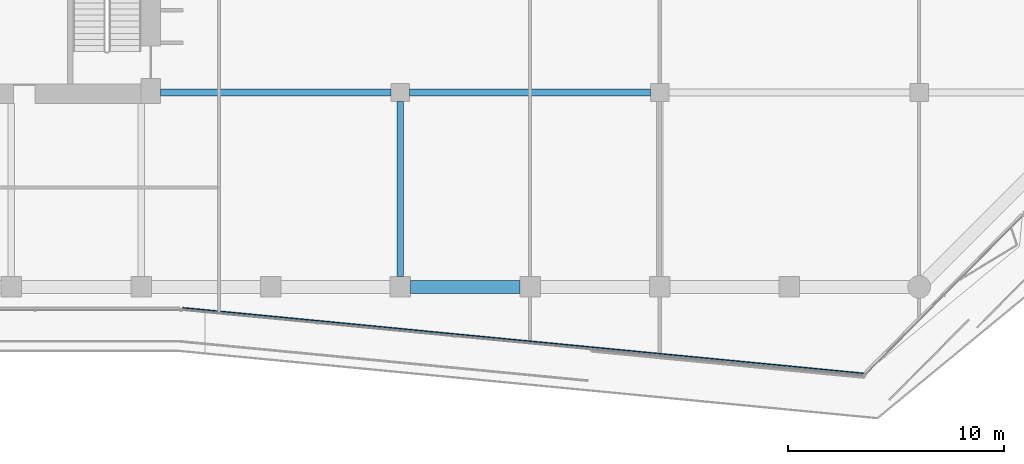
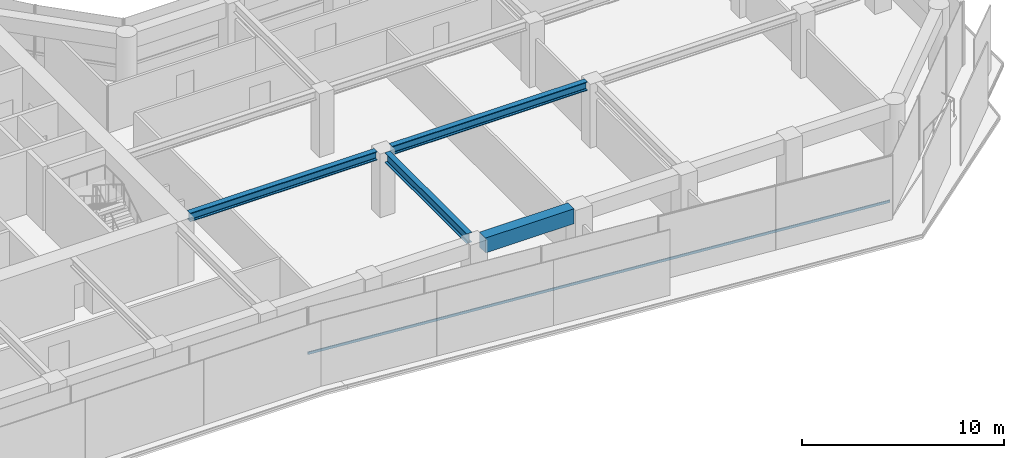
# One storey, part 7 of 31: 4 beams, 1 member, 1 element without a shape of its own.
"""IFC4 building model written with IfcOpenShell, lengths in metres."""

from ifc_helpers import new_model, si_unit, direction, frame, origin, origin_2d, place, context, subcontext, project, spatial, rectangle, i_section, extrude, material, layer, layer_set, material_profile, profile_set, type_object, element, aggregate, save


model = new_model("IFC4")

# Units and contexts
model_context = context("Model", 3, precision=1e-05, world=origin(), true_north=direction((0.0, 1.0)))
body_context = subcontext(model_context, "Body", "Model", "MODEL_VIEW")
ifc_project = project(units=[si_unit("LENGTHUNIT", "METRE"), si_unit("AREAUNIT", "SQUARE_METRE"), si_unit("VOLUMEUNIT", "CUBIC_METRE"), si_unit("PLANEANGLEUNIT", "RADIAN"), si_unit("MASSUNIT", "GRAM", prefix="KILO")], contexts=[model_context])

# Site, building, storey
site_placement = place(None, origin())
site = spatial("IfcSite", under=ifc_project, at=site_placement, CompositionType="ELEMENT")
building_placement = place(site_placement, origin())
building = spatial("IfcBuilding", under=site, at=building_placement, Name="Welwitschia Terrace Campus", CompositionType="ELEMENT")
storey_placement = place(building_placement, frame((0.0, 0.0, 29.0)))
storey = spatial("IfcBuildingStorey", under=building, at=storey_placement, Name="L06", CompositionType="ELEMENT", Elevation=29.0)

# Beams
ifc_material_1 = material(Name="Steel S355", Category="steel")
ifc_material_profile_1 = material_profile(ifc_material_1, i_section(OverallWidth=0.305908203125, OverallDepth=0.52392578125, WebThickness=0.02099609375, FlangeThickness=0.0400390625, FilletRadius=0.027099609375, at=origin_2d()))
ifc_profile_set_1 = profile_set([ifc_material_profile_1], Name="Steel S355")
beam_type_1 = type_object("IfcBeamType", Name="Interior girder HE 500 M", PredefinedType="BEAM", material=ifc_profile_set_1)
beam_1_placement = place(storey_placement, frame((24.90087890625, 5.0, 3.587890625), z_axis=(1.0, 0.0, 0.0), x_axis=(0.0, 1.0, 0.0)))
element("IfcBeam", 1, at=beam_1_placement, inside=storey, type_object=beam_type_1, Name="Girder GB2", PredefinedType="BEAM", context=body_context, shape_type="SweptSolid", body=[
    extrude(i_section(OverallWidth=0.305908203125, OverallDepth=0.52392578125, WebThickness=0.02099609375, FlangeThickness=0.0400390625, FilletRadius=0.027099609375, at=origin_2d()), origin(), (0.0, 0.0, 1.0), 10.673583984375),
])
beam_2_placement = place(storey_placement, frame((36.425537109375, 5.0, 3.587890625), z_axis=(1.0, 0.0, 0.0), x_axis=(0.0, 1.0, 0.0)))
element("IfcBeam", 2, at=beam_2_placement, inside=storey, type_object=beam_type_1, Name="Girder GB2", PredefinedType="BEAM", context=body_context, shape_type="SweptSolid", body=[
    extrude(i_section(OverallWidth=0.305908203125, OverallDepth=0.52392578125, WebThickness=0.02099609375, FlangeThickness=0.0400390625, FilletRadius=0.027099609375, at=origin_2d()), origin(), (0.0, 0.0, 1.0), 11.14892578125),
])
ifc_material_2 = material(Name="Steel S355", Category="steel")
ifc_material_profile_2 = material_profile(ifc_material_2, i_section(OverallWidth=0.300048828125, OverallDepth=0.60009765625, WebThickness=0.015380859375, FlangeThickness=0.030029296875, FilletRadius=0.027099609375, at=origin_2d()))
ifc_profile_set_2 = profile_set([ifc_material_profile_2], Name="Steel S355")
beam_type_2 = type_object("IfcBeamType", Name="Primary beam HE 600 B", PredefinedType="BEAM", material=ifc_profile_set_2)
beam_3_placement = place(storey_placement, frame((36.0, -3.5244140625, 3.550048828125), z_axis=(0.0, 1.0, 0.0), x_axis=(-1.0, 0.0, 0.0)))
element("IfcBeam", 3, at=beam_3_placement, inside=storey, type_object=beam_type_2, Name="Primary beam PB2", PredefinedType="BEAM", context=body_context, shape_type="SweptSolid", body=[
    extrude(i_section(OverallWidth=0.300048828125, OverallDepth=0.60009765625, WebThickness=0.015380859375, FlangeThickness=0.030029296875, FilletRadius=0.027099609375, at=origin_2d()), origin(), (0.0, 0.0, 1.0), 8.098876953125),
])
ifc_material_3 = material(Name="Concrete C60/75", Category="concrete")
ifc_material_profile_3 = material_profile(ifc_material_3, rectangle(XDim=0.60009765625, YDim=0.89990234375, at=origin_2d()))
ifc_profile_set_3 = profile_set([ifc_material_profile_3], Name="Concrete C60/75")
beam_type_3 = type_object("IfcBeamType", Name="Ring spandrel 600x900", PredefinedType="SPANDREL", material=ifc_profile_set_3)
beam_4_placement = place(storey_placement, frame((36.4755859375, -4.0, 3.39990234375), z_axis=(1.0, 0.0, 0.0), x_axis=(0.0, 1.0, 0.0)))
element("IfcBeam", 4, at=beam_4_placement, inside=storey, type_object=beam_type_3, Name="Spandrel SP2", PredefinedType="SPANDREL", context=body_context, shape_type="SweptSolid", body=[
    extrude(rectangle(XDim=0.60009765625, YDim=0.89990234375, at=origin_2d()), origin(), (0.0, 0.0, 1.0), 5.048828125),
])

# Curtain wall, member
ifc_material_4 = material(Name="Bronze anodised aluminium", Category="aluminium")
ifc_layer = layer(ifc_material_4, 0.1201171875)
ifc_layer_set = layer_set([ifc_layer], Name="Bronze anodised aluminium")
curtain_wall_type = type_object("IfcCurtainWallType", Name="Curtain wall CW2 tower 6000", PredefinedType="NOTDEFINED", material=ifc_layer_set)
curtain_wall_placement = place(storey_placement, origin())
curtain_wall = element("IfcCurtainWall", 5, at=curtain_wall_placement, inside=storey, type_object=curtain_wall_type, Name="CW L06.4.0", PredefinedType="NOTDEFINED")
ifc_material_5 = material(Name="Bronze anodised aluminium", Category="aluminium")
ifc_material_profile_4 = material_profile(ifc_material_5, rectangle(XDim=0.06005859375, YDim=0.14990234375, at=origin_2d()))
ifc_profile_set_4 = profile_set([ifc_material_profile_4], Name="Bronze anodised aluminium")
member_type = type_object("IfcMemberType", Name="Transom 60x150", PredefinedType="USERDEFINED", material=ifc_profile_set_4)
member_placement = place(storey_placement, frame((25.927490234375, -4.97412109375, 1.0), z_axis=(0.995395815409, -0.095849729609, 0.0), x_axis=(0.095849729609, 0.995395815409, 0.0)))
member = element("IfcMember", 6, at=member_placement, type_object=member_type, Name="Transom L06.4.0", ObjectType="TRANSOM", PredefinedType="USERDEFINED", context=body_context, shape_type="SweptSolid", body=[
    extrude(rectangle(XDim=0.06005859375, YDim=0.14990234375, at=origin_2d()), origin(), (0.0, 0.0, 1.0), 31.640380859375),
])
aggregate(curtain_wall, [member])

save(model, "model.ifc")
